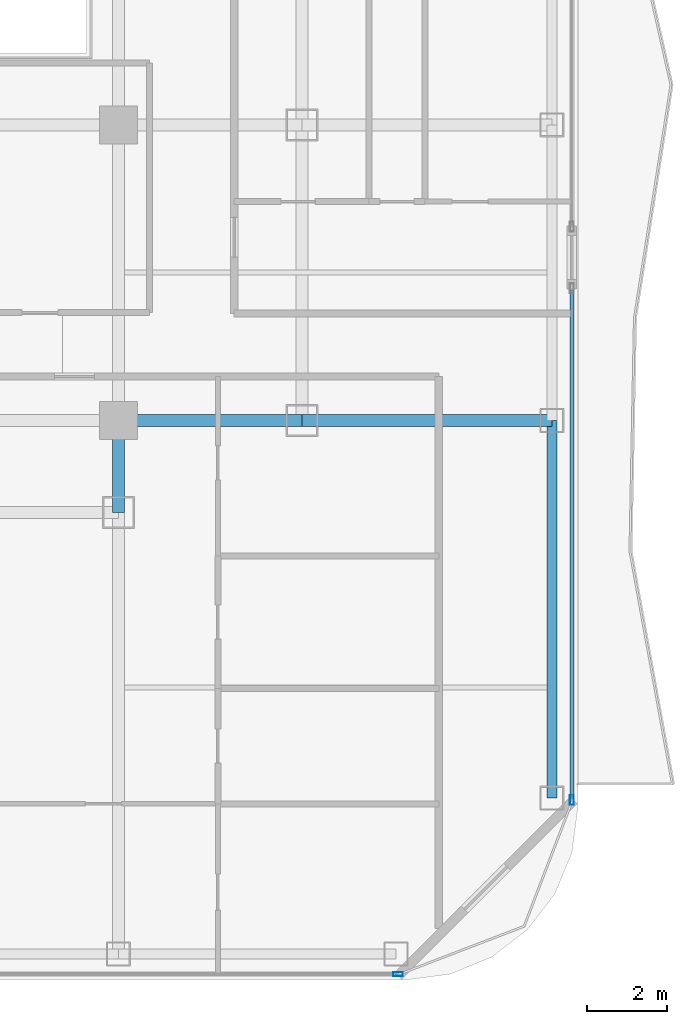
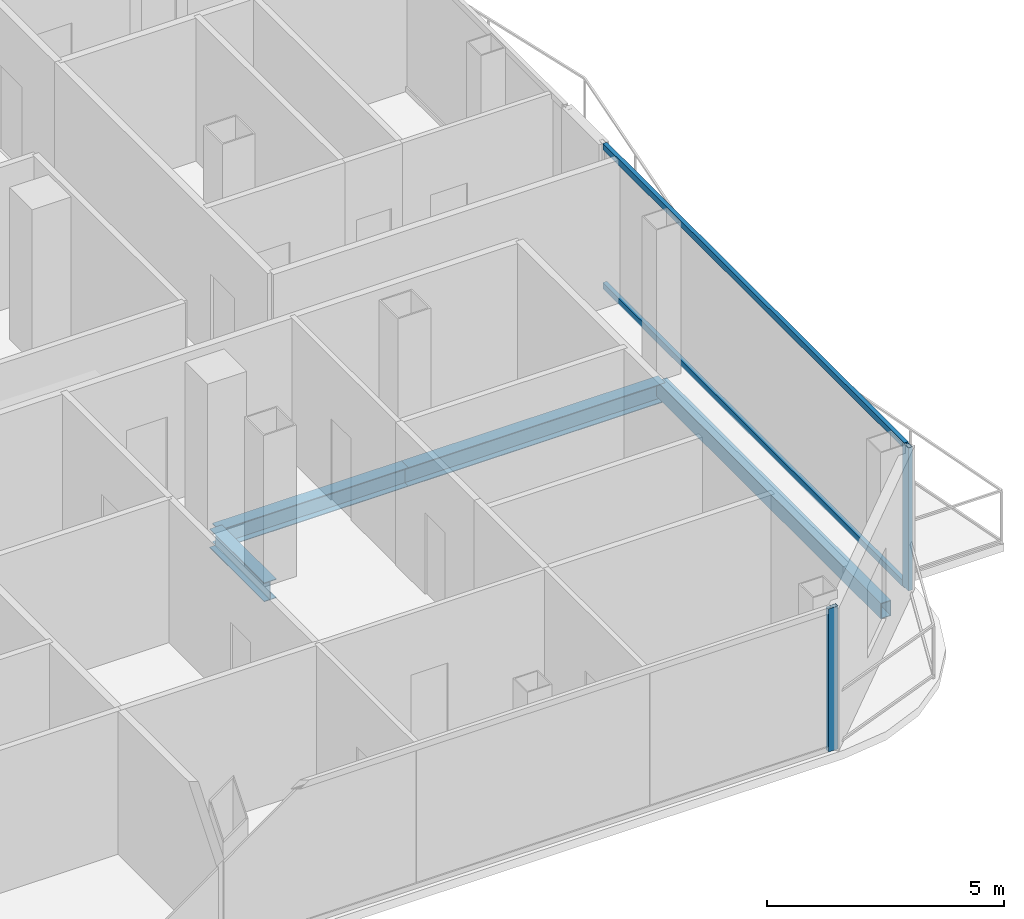
# One storey, part 10 of 27: 4 beams, 4 members, 2 elements without a shape of their own.
"""IFC4 building model written with IfcOpenShell, lengths in metres."""

from ifc_helpers import new_model, si_unit, direction, frame, origin, origin_2d, place, context, subcontext, project, spatial, hollow_rectangle, i_section, extrude, material, layer, layer_set, material_profile, profile_set, type_object, element, aggregate, save


model = new_model("IFC4")

# Units and contexts
model_context = context("Model", 3, precision=1e-05, world=origin(), true_north=direction((0.0, 1.0)))
body_context = subcontext(model_context, "Body", "Model", "MODEL_VIEW")
ifc_project = project(units=[si_unit("LENGTHUNIT", "METRE"), si_unit("AREAUNIT", "SQUARE_METRE"), si_unit("VOLUMEUNIT", "CUBIC_METRE"), si_unit("PLANEANGLEUNIT", "RADIAN"), si_unit("MASSUNIT", "GRAM", prefix="KILO")], contexts=[model_context])

# Site, building, storey
site_placement = place(None, origin())
site = spatial("IfcSite", under=ifc_project, at=site_placement, CompositionType="ELEMENT")
building_placement = place(site_placement, origin())
building = spatial("IfcBuilding", under=site, at=building_placement, Name="Khorvyn Point Tower", CompositionType="ELEMENT")
storey_placement = place(building_placement, frame((0.0, 0.0, 246.89990234375)))
storey = spatial("IfcBuildingStorey", under=building, at=storey_placement, Name="L60", CompositionType="ELEMENT", Elevation=246.89990234375)

# Curtain wall, member
ifc_material_1 = material(Name="Anodised aluminium 6063-T6 and laminated Low-E glass", Category="aluminium")
ifc_layer = layer(ifc_material_1, 0.18994140625)
ifc_layer_set = layer_set([ifc_layer], Name="Stick-Built Acoustic Curtain Wall CW-SYS-03")
curtain_wall_type = type_object("IfcCurtainWallType", Name="Stick-Built Acoustic Curtain Wall CW-SYS-03", PredefinedType="NOTDEFINED", material=ifc_layer_set)
curtain_wall_1_placement = place(storey_placement, origin())
curtain_wall_1 = element("IfcCurtainWall", 1, at=curtain_wall_1_placement, inside=storey, type_object=curtain_wall_type, Name="Curtain Wall", PredefinedType="NOTDEFINED")
ifc_material_2 = material(Name="Anodised aluminium 6063-T6", Category="aluminium")
ifc_material_profile_1 = material_profile(ifc_material_2, hollow_rectangle(XDim=0.10009765625, YDim=0.239990234375, WallThickness=0.0048828125, at=origin_2d()))
ifc_profile_set_1 = profile_set([ifc_material_profile_1], Name="Anodised aluminium 6063-T6 ALU-MUL-100x240")
member_type_1 = type_object("IfcMemberType", Name="Anodised Aluminium 6063-T6 Mullion ALU-MUL-100x240", PredefinedType="MULLION", material=ifc_profile_set_1)
member_1_placement = place(storey_placement, frame((21.800048828125, -28.64990234375, 0.0), z_axis=(0.0, 0.0, 1.0), x_axis=(0.0, -1.0, 0.0)))
member_1 = element("IfcMember", 2, at=member_1_placement, type_object=member_type_1, Name="Transom", PredefinedType="MULLION", context=body_context, shape_type="SweptSolid", body=[
    extrude(hollow_rectangle(XDim=0.10009765625, YDim=0.239990234375, WallThickness=0.0048828125, at=origin_2d()), origin(), (0.0, 0.0, 1.0), 3.68017578125),
])
aggregate(curtain_wall_1, [member_1])

# Curtain wall, members
curtain_wall_2_placement = place(storey_placement, origin())
curtain_wall_2 = element("IfcCurtainWall", 3, at=curtain_wall_2_placement, inside=storey, type_object=curtain_wall_type, Name="Curtain Wall", PredefinedType="NOTDEFINED")
member_2_placement = place(storey_placement, frame((26.14990234375, -24.300048828125, 0.0), z_axis=(0.0, 0.0, 1.0), x_axis=(1.0, 0.0, 0.0)))
member_2 = element("IfcMember", 4, at=member_2_placement, type_object=member_type_1, Name="Transom", PredefinedType="MULLION", context=body_context, shape_type="SweptSolid", body=[
    extrude(hollow_rectangle(XDim=0.10009765625, YDim=0.239990234375, WallThickness=0.0048828125, at=origin_2d()), origin(), (0.0, 0.0, 1.0), 3.68017578125),
])
ifc_material_profile_2 = material_profile(ifc_material_2, hollow_rectangle(XDim=0.10009765625, YDim=0.159912109375, WallThickness=0.00439453125, at=origin_2d()))
ifc_profile_set_2 = profile_set([ifc_material_profile_2], Name="Anodised aluminium 6063-T6 ALU-TRN-100x160")
member_type_2 = type_object("IfcMemberType", Name="Anodised Aluminium 6063-T6 Transom ALU-TRN-100x160", PredefinedType="USERDEFINED", material=ifc_profile_set_2)
member_3_placement = place(storey_placement, frame((26.14990234375, -11.5400390625, 0.050048828125), z_axis=(0.0, -1.0, 0.0), x_axis=(1.0, 0.0, 0.0)))
member_3 = element("IfcMember", 5, at=member_3_placement, type_object=member_type_2, Name="Transom", ObjectType="TRANSOM", PredefinedType="USERDEFINED", context=body_context, shape_type="SweptSolid", body=[
    extrude(hollow_rectangle(XDim=0.10009765625, YDim=0.159912109375, WallThickness=0.00439453125, at=origin_2d()), origin(), (0.0, 0.0, 1.0), 12.7099609375),
])
member_4_placement = place(storey_placement, frame((26.14990234375, -11.5400390625, 3.630126953125), z_axis=(0.0, -1.0, 0.0), x_axis=(1.0, 0.0, 0.0)))
member_4 = element("IfcMember", 6, at=member_4_placement, type_object=member_type_2, Name="Transom", ObjectType="TRANSOM", PredefinedType="USERDEFINED", context=body_context, shape_type="SweptSolid", body=[
    extrude(hollow_rectangle(XDim=0.10009765625, YDim=0.159912109375, WallThickness=0.00439453125, at=origin_2d()), origin(), (0.0, 0.0, 1.0), 12.7099609375),
])
aggregate(curtain_wall_2, [member_2, member_3, member_4])

# Beams
ifc_material_3 = material(Name="Steel S355", Category="steel")
ifc_material_profile_3 = material_profile(ifc_material_3, i_section(OverallWidth=0.300048828125, OverallDepth=0.488037109375, WebThickness=0.010986328125, FlangeThickness=0.01806640625, at=origin_2d()))
ifc_profile_set_3 = profile_set([ifc_material_profile_3], Name="Steel S355 H488x300x11x18")
beam_type_1 = type_object("IfcBeamType", Name="Steel S355 Spandrel H488x300x11x18", PredefinedType="SPANDREL", material=ifc_profile_set_3)
beam_1_placement = place(storey_placement, frame((14.800048828125, -14.800048828125, -0.4638671875), z_axis=(1.0, 0.0, 0.0), x_axis=(0.0, 1.0, 0.0)))
element("IfcBeam", 7, at=beam_1_placement, inside=storey, type_object=beam_type_1, Name="Beam", PredefinedType="SPANDREL", context=body_context, shape_type="SweptSolid", body=[
    extrude(i_section(OverallWidth=0.300048828125, OverallDepth=0.488037109375, WebThickness=0.010986328125, FlangeThickness=0.01806640625, at=origin_2d()), origin(), (0.0, 0.0, 1.0), 4.599853515625),
])
beam_2_placement = place(storey_placement, frame((19.39990234375, -14.800048828125, -0.4638671875), z_axis=(1.0, 0.0, 0.0), x_axis=(0.0, 1.0, 0.0)))
element("IfcBeam", 8, at=beam_2_placement, inside=storey, type_object=beam_type_1, Name="Beam", PredefinedType="SPANDREL", context=body_context, shape_type="SweptSolid", body=[
    extrude(i_section(OverallWidth=0.300048828125, OverallDepth=0.488037109375, WebThickness=0.010986328125, FlangeThickness=0.01806640625, at=origin_2d()), origin(), (0.0, 0.0, 1.0), 6.25),
])
beam_3_placement = place(storey_placement, frame((14.800048828125, -17.10009765625, -0.4638671875), z_axis=(0.0, 1.0, 0.0), x_axis=(-1.0, 0.0, 0.0)))
element("IfcBeam", 9, at=beam_3_placement, inside=storey, type_object=beam_type_1, Name="Beam", PredefinedType="SPANDREL", context=body_context, shape_type="SweptSolid", body=[
    extrude(i_section(OverallWidth=0.300048828125, OverallDepth=0.488037109375, WebThickness=0.010986328125, FlangeThickness=0.01806640625, at=origin_2d()), origin(), (0.0, 0.0, 1.0), 2.300048828125),
])
ifc_material_profile_4 = material_profile(ifc_material_3, hollow_rectangle(XDim=0.25, YDim=0.39990234375, WallThickness=0.01611328125, at=origin_2d()))
ifc_profile_set_4 = profile_set([ifc_material_profile_4], Name="Steel S355 RHS400x250x16")
beam_type_2 = type_object("IfcBeamType", Name="Steel S355 Spandrel RHS400x250x16", PredefinedType="SPANDREL", material=ifc_profile_set_4)
beam_4_placement = place(storey_placement, frame((25.64990234375, -24.25, -0.419921875), z_axis=(0.0, 1.0, 0.0), x_axis=(-1.0, 0.0, 0.0)))
element("IfcBeam", 10, at=beam_4_placement, inside=storey, type_object=beam_type_2, Name="Beam", PredefinedType="SPANDREL", context=body_context, shape_type="SweptSolid", body=[
    extrude(hollow_rectangle(XDim=0.25, YDim=0.39990234375, WallThickness=0.01611328125, at=origin_2d()), origin(), (0.0, 0.0, 1.0), 9.449951171875),
])

save(model, "model.ifc")
